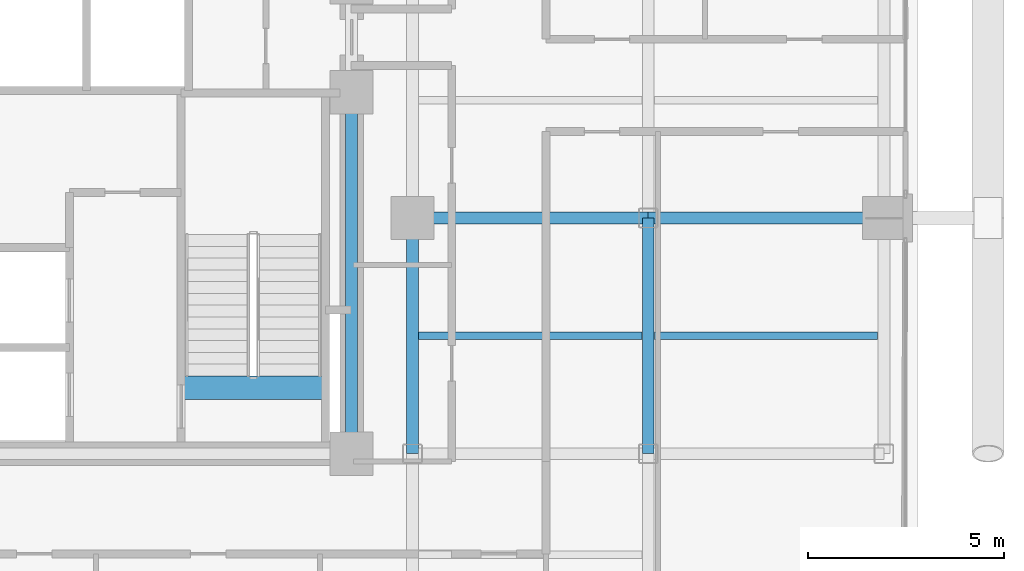
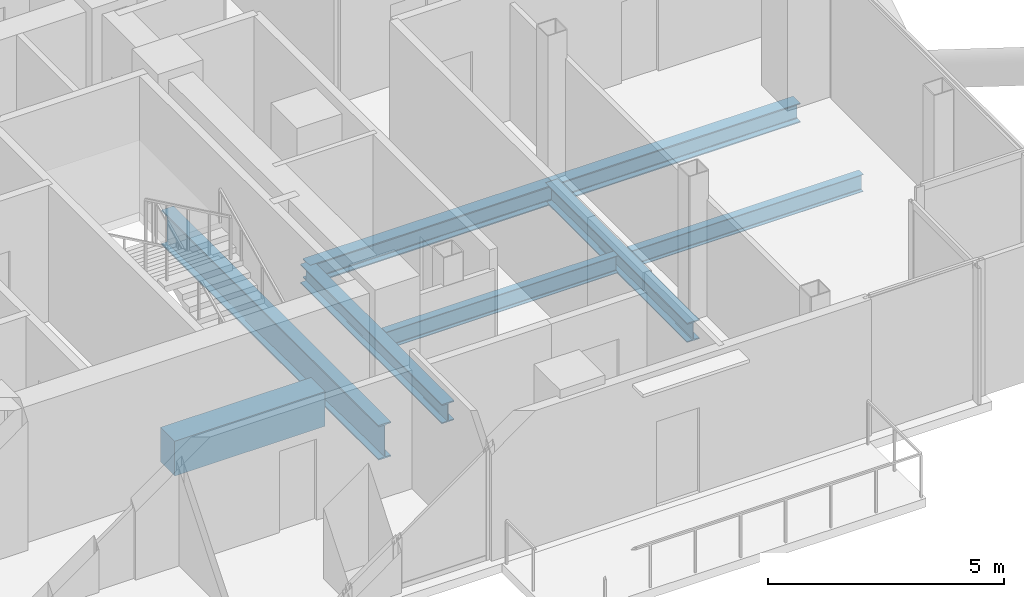
# One storey, part 11 of 28: 8 beams.
"""IFC4 building model written with IfcOpenShell, lengths in metres."""

import ifcopenshell
import ifcopenshell.guid

model = None  # the IFC model being written
_history = None  # IfcOwnerHistory: only IFC2X3 demands one
_inside = {}  # id of a spatial element -> (the spatial element, [elements in it])
_under = {}  # id of a project, library or spatial element -> (it, [spatial elements below it])
_declared = {}  # id of a project -> (the project, [libraries it declares])
_typed = {}  # id of a type object -> (the type object, [elements of that type])
_made_of = {}  # id of a material, layer set ... -> (it, [elements and type objects made of it])


def new_model(schema):
    """Start an empty IFC model of exactly this schema.

    Asked for "IFC4X3", IfcOpenShell would pick the latest addendum, in which some entities
    have other attributes; the version numbers below select the first issue.
    IFC2X3 requires an IfcOwnerHistory on every rooted entity: one is made here for all.
    """
    global model, _history
    if schema == "IFC4X3":
        model = ifcopenshell.file(schema_version=(4, 3, 0, 0))
    else:
        model = ifcopenshell.file(schema=schema)
    _inside.clear()
    _under.clear()
    _declared.clear()
    _typed.clear()
    _made_of.clear()
    _history = None
    if model.schema == "IFC2X3":
        org = make("IfcOrganization", Name="unknown")
        user = make(
            "IfcPersonAndOrganization",
            ThePerson=make("IfcPerson", FamilyName="unknown"),
            TheOrganization=org,
        )
        app = make(
            "IfcApplication",
            ApplicationDeveloper=org,
            Version="unknown",
            ApplicationFullName="unknown",
            ApplicationIdentifier="unknown",
        )
        _history = make(
            "IfcOwnerHistory",
            OwningUser=user,
            OwningApplication=app,
            ChangeAction="ADDED",
            CreationDate=0,
        )
    return model


def make(cls, **values):
    """One entity of the class cls with the attributes given. An attribute that is None is left unset."""
    return model.create_entity(
        cls, **{name: value for name, value in values.items() if value is not None}
    )


def rooted(cls, **values):
    """An entity with a GlobalId (a new one), such as an element, a storey or a relation."""
    return make(cls, GlobalId=ifcopenshell.guid.new(), OwnerHistory=_history, **values)


def si_unit(unit_type, name, prefix=None):
    """IfcSIUnit, for example si_unit("LENGTHUNIT", "METRE", prefix="MILLI")."""
    return make("IfcSIUnit", UnitType=unit_type, Prefix=prefix, Name=name)


def assignment(units):
    """IfcUnitAssignment: the units of a project."""
    return None if units is None else make("IfcUnitAssignment", Units=units)


def point(xyz):
    """IfcCartesianPoint."""
    return None if xyz is None else make("IfcCartesianPoint", Coordinates=xyz)


def direction(xyz):
    """IfcDirection."""
    return None if xyz is None else make("IfcDirection", DirectionRatios=xyz)


def frame(location, z_axis=None, x_axis=None):
    """IfcAxis2Placement3D, a coordinate frame: its origin and axes. An axis left out is left unset."""
    return make(
        "IfcAxis2Placement3D",
        Location=point(location),
        Axis=direction(z_axis),
        RefDirection=direction(x_axis),
    )


def frame_2d(location, x_axis=None):
    """IfcAxis2Placement2D, a coordinate frame in the plane: its origin and x axis."""
    return make(
        "IfcAxis2Placement2D", Location=point(location), RefDirection=direction(x_axis)
    )


def origin():
    """The frame at (0, 0, 0) with its axes left unset."""
    return frame((0.0, 0.0, 0.0))


def origin_2d():
    """The frame at (0, 0) in the plane with its x axis left unset."""
    return frame_2d((0.0, 0.0))


def place(relative_to, where):
    """IfcLocalPlacement: puts the frame where relative to a parent placement (None: the world)."""
    return make(
        "IfcLocalPlacement", PlacementRelTo=relative_to, RelativePlacement=where
    )


def context(
    kind, dimensions, precision=None, world=None, true_north=None, identifier=None
):
    """IfcGeometricRepresentationContext, for example the 3D "Model" context."""
    return make(
        "IfcGeometricRepresentationContext",
        ContextIdentifier=identifier,
        ContextType=kind,
        CoordinateSpaceDimension=dimensions,
        Precision=precision,
        WorldCoordinateSystem=world,
        TrueNorth=true_north,
    )


def subcontext(parent, identifier, kind, view, scale=None):
    """IfcGeometricRepresentationSubContext, for example "Body" below "Model"."""
    return make(
        "IfcGeometricRepresentationSubContext",
        ContextIdentifier=identifier,
        ContextType=kind,
        ParentContext=parent,
        TargetScale=scale,
        TargetView=view,
    )


def project(units=None, contexts=None):
    """IfcProject with its units and contexts."""
    return rooted(
        "IfcProject",
        Name="project",
        RepresentationContexts=contexts,
        UnitsInContext=assignment(units),
    )


def spatial(cls, under=None, at=None, **own):
    """A site, building, storey or space (cls), placed at a placement, below another one or the project."""
    s = rooted(cls, ObjectPlacement=at, **own)
    if under is not None:
        _under.setdefault(under.id(), (under, []))[1].append(s)
    return s


def profile(cls, at=None, kind="AREA", **sizes):
    """A parametric profile (cls). Its sizes go by their IFC names, for example OverallWidth=200.0."""
    return make(cls, ProfileType=kind, Position=at, **sizes)


def rectangle(**sizes):
    """IfcRectangleProfileDef."""
    return profile("IfcRectangleProfileDef", **sizes)


def i_section(**sizes):
    """IfcIShapeProfileDef."""
    return profile("IfcIShapeProfileDef", **sizes)


def extrude(swept, where, along, depth):
    """IfcExtrudedAreaSolid: the profile swept, set in the frame where, extruded along a direction by depth."""
    return make(
        "IfcExtrudedAreaSolid",
        SweptArea=swept,
        Position=where,
        ExtrudedDirection=direction(along),
        Depth=depth,
    )


def shape(context_of_items, identifier, shape_type, items):
    """IfcShapeRepresentation: the items that make up one representation, for example the "Body"."""
    return make(
        "IfcShapeRepresentation",
        ContextOfItems=context_of_items,
        RepresentationIdentifier=identifier,
        RepresentationType=shape_type,
        Items=items,
    )


def material(Name=None, Category=None):
    """IfcMaterial."""
    return make("IfcMaterial", Name=Name, Category=Category)


def material_profile(
    of_material, cross_section, Name=None, Category=None, Priority=None
):
    """IfcMaterialProfile: a cross section and its material."""
    return make(
        "IfcMaterialProfile",
        Name=Name,
        Material=of_material,
        Profile=cross_section,
        Priority=Priority,
        Category=Category,
    )


def profile_set(profiles, Name=None, composite=None):
    """IfcMaterialProfileSet."""
    return make(
        "IfcMaterialProfileSet",
        Name=Name,
        MaterialProfiles=profiles,
        CompositeProfile=composite,
    )


def made_of(thing, what):
    """Note that an element or type object is made of a material, layer set ...; save() writes the relation."""
    if what is not None:
        _made_of.setdefault(what.id(), (what, []))[1].append(thing)
    return thing


def type_object(cls, material=None, **own):
    """A type object (cls), such as IfcWallType, which elements share."""
    return made_of(rooted(cls, **own), material)


def element(
    cls,
    number,
    at=None,
    inside=None,
    cuts=None,
    type_object=None,
    material=None,
    context=None,
    identifier="Body",
    shape_type=None,
    held_by="IfcProductDefinitionShape",
    body=None,
    shapes=None,
    **own,
):
    """One element of the class cls, such as IfcWall. Its Tag is "e" and its number.

    at: its placement. inside: the storey or other place that contains it. cuts: it is an
    opening in that element (IfcRelVoidsElement). A single representation is given by context,
    identifier, shape_type and body (its items); several are given by shapes. held_by: the class
    of the entity that holds the representations. save() writes the other relations.
    """
    e = rooted(cls, Tag="e%d" % number, ObjectPlacement=at, **own)
    if body is not None:
        shapes = [shape(context, identifier, shape_type, body)]
    if shapes is not None:
        e.Representation = make(held_by, Representations=shapes)
    if inside is not None:
        _inside.setdefault(inside.id(), (inside, []))[1].append(e)
    if cuts is not None:
        rooted(
            "IfcRelVoidsElement", RelatingBuildingElement=cuts, RelatedOpeningElement=e
        )
    if type_object is not None:
        _typed.setdefault(type_object.id(), (type_object, []))[1].append(e)
    return made_of(e, material)


def aggregate(whole, parts):
    """IfcRelAggregates: a whole, such as a stair, and the parts it consists of."""
    return rooted("IfcRelAggregates", RelatingObject=whole, RelatedObjects=parts)


def save(model, path):
    """Write the relations noted so far, then the file.

    IfcRelAggregates (storeys below a building ...), IfcRelContainedInSpatialStructure (elements
    in a storey), IfcRelDefinesByType, IfcRelAssociatesMaterial and IfcRelDeclares: one each for
    every whole, place, type object, material and project.
    """
    for whole, parts in _under.values():
        aggregate(whole, parts)
    for where, things in _inside.values():
        rooted(
            "IfcRelContainedInSpatialStructure",
            RelatedElements=things,
            RelatingStructure=where,
        )
    for kind, things in _typed.values():
        rooted("IfcRelDefinesByType", RelatedObjects=things, RelatingType=kind)
    for what, things in _made_of.values():
        rooted("IfcRelAssociatesMaterial", RelatedObjects=things, RelatingMaterial=what)
    for by, libraries in _declared.values():
        rooted("IfcRelDeclares", RelatingContext=by, RelatedDefinitions=libraries)
    model.write(path)


model = new_model("IFC4")

# Units and contexts
model_context = context("Model", 3, precision=1e-05, world=origin(), true_north=direction((0.0, 1.0)))
body_context = subcontext(model_context, "Body", "Model", "MODEL_VIEW")
ifc_project = project(units=[si_unit("LENGTHUNIT", "METRE"), si_unit("AREAUNIT", "SQUARE_METRE"), si_unit("VOLUMEUNIT", "CUBIC_METRE"), si_unit("PLANEANGLEUNIT", "RADIAN"), si_unit("MASSUNIT", "GRAM", prefix="KILO"), si_unit("THERMODYNAMICTEMPERATUREUNIT", "KELVIN"), si_unit("POWERUNIT", "WATT")], contexts=[model_context])

# Site, building, storey
site_placement = place(None, origin())
site = spatial("IfcSite", under=ifc_project, at=site_placement, CompositionType="ELEMENT")
building_placement = place(site_placement, origin())
building = spatial("IfcBuilding", under=site, at=building_placement, Name="Svarakhadi Broadcast Tower", CompositionType="ELEMENT")
storey_placement = place(building_placement, frame((0.0, 0.0, 153.14990234375)))
storey = spatial("IfcBuildingStorey", under=building, at=storey_placement, Name="L37", CompositionType="ELEMENT", Elevation=153.14990234375)

# Beams
ifc_material_1 = material(Name="Steel S355J2 (IS 2062 E350C)", Category="steel")
ifc_material_profile_1 = material_profile(ifc_material_1, i_section(OverallWidth=0.18994140625, OverallDepth=0.449951171875, WebThickness=0.009521484375, FlangeThickness=0.0146484375, FilletRadius=0.02099609375, at=origin_2d()), Name="NPB 450x190x78")
ifc_profile_set_1 = profile_set([ifc_material_profile_1], Name="Steel S355J2 (IS 2062 E350C)")
beam_type_1 = type_object("IfcBeamType", Name="Beam_NPB450", PredefinedType="BEAM", material=ifc_profile_set_1)
for number, where, z_axis, x_axis, name in (
    (1, (35.31005859375, 9.0, -0.449951171875), (1.0, 0.0, 0.0), (0.0, 1.0, 0.0), "L37 Secondary Composite Beam SB020"),
    (2, (41.31005859375, 9.0, -0.449951171875), (1.0, 0.0, 0.0), (0.0, 1.0, 0.0), "L37 Secondary Composite Beam SB022"),
):
    element("IfcBeam", number, at=place(storey_placement, frame(where, z_axis=z_axis, x_axis=x_axis)), inside=storey, type_object=beam_type_1, Name=name, PredefinedType="BEAM", context=body_context, shape_type="SweptSolid", body=[
        extrude(i_section(OverallWidth=0.18994140625, OverallDepth=0.449951171875, WebThickness=0.009521484375, FlangeThickness=0.0146484375, FilletRadius=0.02099609375, at=origin_2d()), origin(), (0.0, 0.0, 1.0), 5.679931640625),
    ])
ifc_material_2 = material(Name="Concrete C50/60 (IS 456 M60)", Category="concrete")
ifc_material_profile_2 = material_profile(ifc_material_2, rectangle(XDim=0.60009765625, YDim=0.89990234375, at=origin_2d()), Name="RC 600x900")
ifc_profile_set_2 = profile_set([ifc_material_profile_2], Name="Concrete C50/60 (IS 456 M60)")
beam_type_2 = type_object("IfcBeamType", Name="Coupling_RC600", PredefinedType="USERDEFINED", material=ifc_profile_set_2)
beam_1_placement = place(storey_placement, frame((29.260009765625, 7.679931640625, -0.449951171875), z_axis=(1.0, 0.0, 0.0), x_axis=(0.0, 1.0, 0.0)))
element("IfcBeam", 3, at=beam_1_placement, inside=storey, type_object=beam_type_2, Name="L37 Stair ST-02 Landing Throat Trimmer Beam CB-01", ObjectType="GIRDER", PredefinedType="USERDEFINED", context=body_context, shape_type="SweptSolid", body=[
    extrude(rectangle(XDim=0.60009765625, YDim=0.89990234375, at=origin_2d()), origin(), (0.0, 0.0, 1.0), 3.679931640625),
])
ifc_material_profile_3 = material_profile(ifc_material_1, i_section(OverallWidth=0.300048828125, OverallDepth=0.5, WebThickness=0.014404296875, FlangeThickness=0.028076171875, FilletRadius=0.027099609375, at=origin_2d()), Name="WPB 500x300x187")
ifc_profile_set_3 = profile_set([ifc_material_profile_3], Name="Steel S355J2 (IS 2062 E350C)")
beam_type_3 = type_object("IfcBeamType", Name="Girder_WPB500", PredefinedType="USERDEFINED", material=ifc_profile_set_3)
for number, where, z_axis, x_axis, name in (
    (4, (35.14990234375, 12.0, -0.474853515625), (1.0, 0.0, 0.0), (0.0, 1.0, 0.0), "L37 Primary E-W Girder G021"),
    (5, (41.14990234375, 12.0, -0.474853515625), (1.0, 0.0, 0.0), (0.0, 1.0, 0.0), "L37 Primary E-W Girder G022"),
    (6, (35.14990234375, 6.0, -0.474853515625), (0.0, 1.0, 0.0), (-1.0, 0.0, 0.0), "L37 Primary N-S Girder G068"),
    (7, (41.14990234375, 6.0, -0.474853515625), (0.0, 1.0, 0.0), (-1.0, 0.0, 0.0), "L37 Primary N-S Girder G071"),
):
    element("IfcBeam", number, at=place(storey_placement, frame(where, z_axis=z_axis, x_axis=x_axis)), inside=storey, type_object=beam_type_3, Name=name, ObjectType="GIRDER", PredefinedType="USERDEFINED", context=body_context, shape_type="SweptSolid", body=[
        extrude(i_section(OverallWidth=0.300048828125, OverallDepth=0.5, WebThickness=0.014404296875, FlangeThickness=0.028076171875, FilletRadius=0.027099609375, at=origin_2d()), origin(), (0.0, 0.0, 1.0), 6.0),
    ])
ifc_material_3 = material(Name="Steel S460ML (IS 2062 E450BR)", Category="steel")
ifc_material_profile_4 = material_profile(ifc_material_3, i_section(OverallWidth=0.300048828125, OverallDepth=0.89990234375, WebThickness=0.0185546875, FlangeThickness=0.034912109375, FilletRadius=0.030029296875, at=origin_2d()), Name="WPB 900x300x291")
ifc_profile_set_4 = profile_set([ifc_material_profile_4], Name="Steel S460ML (IS 2062 E450BR)")
beam_type_4 = type_object("IfcBeamType", Name="Girder_WPB900", PredefinedType="USERDEFINED", material=ifc_profile_set_4)
beam_2_placement = place(storey_placement, frame((33.60009765625, 6.0, -0.6748046875), z_axis=(0.0, 1.0, 0.0), x_axis=(-1.0, 0.0, 0.0)))
element("IfcBeam", 8, at=beam_2_placement, inside=storey, type_object=beam_type_4, Name="L37 Primary N-S Girder G065", ObjectType="GIRDER", PredefinedType="USERDEFINED", context=body_context, shape_type="SweptSolid", body=[
    extrude(i_section(OverallWidth=0.300048828125, OverallDepth=0.89990234375, WebThickness=0.0185546875, FlangeThickness=0.034912109375, FilletRadius=0.030029296875, at=origin_2d()), origin(), (0.0, 0.0, 1.0), 9.199951171875),
])

save(model, "model.ifc")
